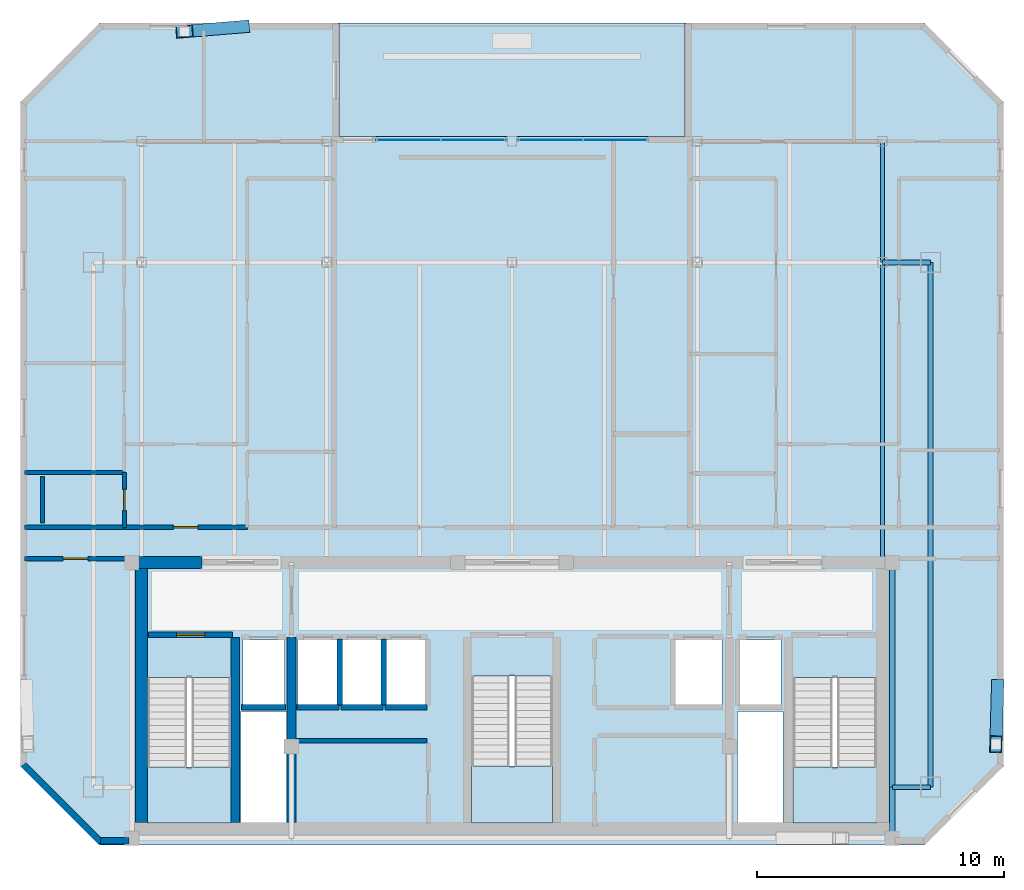
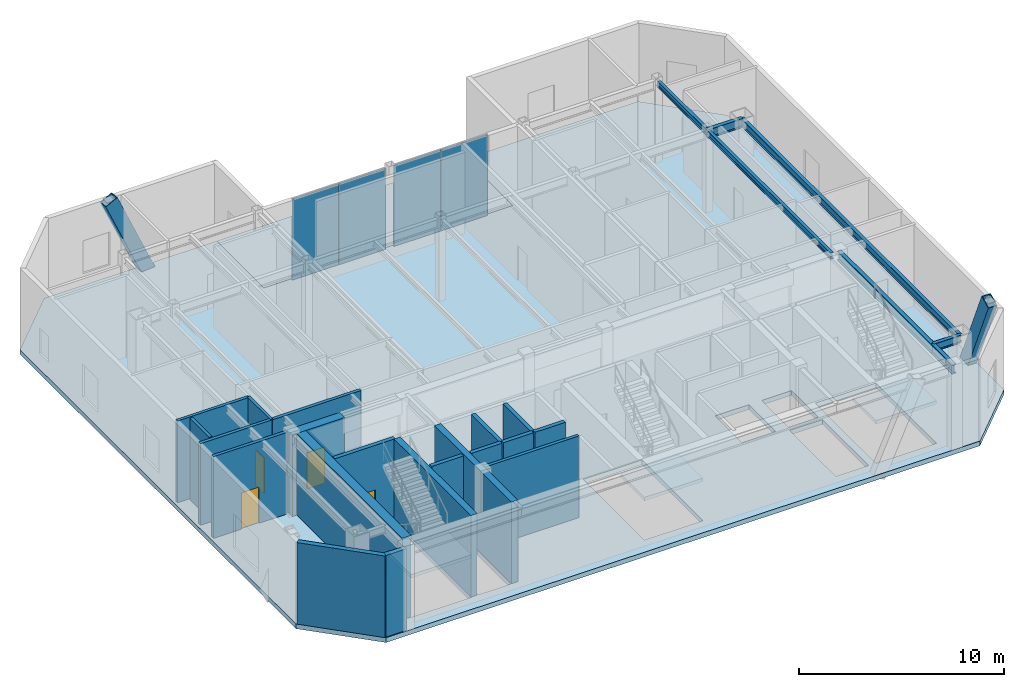
# One storey, part 6 of 11: 20 walls, 7 beams, 5 slabs, 4 doors, 4 plates, 2 members, 4 openings, 5 elements without a shape of their own.
"""IFC4 building model written with IfcOpenShell, lengths in metres."""

from ifc_helpers import new_model, si_unit, direction, frame, frame_2d, origin, origin_2d, place, context, subcontext, project, spatial, polyline, rectangle, hollow_rectangle, i_section, outline, extrude, material, layer, layer_set, material_profile, profile_set, type_object, element, fill, aggregate, save


model = new_model("IFC4")

# Units and contexts
model_context = context("Model", 3, precision=1e-05, world=origin(), true_north=direction((0.0, 1.0)))
body_context = subcontext(model_context, "Body", "Model", "MODEL_VIEW")
ifc_project = project(units=[si_unit("LENGTHUNIT", "METRE"), si_unit("AREAUNIT", "SQUARE_METRE"), si_unit("VOLUMEUNIT", "CUBIC_METRE"), si_unit("PLANEANGLEUNIT", "RADIAN"), si_unit("MASSUNIT", "GRAM", prefix="KILO")], contexts=[model_context])

# Site, building, storey
site_placement = place(None, origin())
site = spatial("IfcSite", under=ifc_project, at=site_placement, CompositionType="ELEMENT")
building_placement = place(site_placement, origin())
building = spatial("IfcBuilding", under=site, at=building_placement, Name="Ventersveld Concourse Tower", CompositionType="ELEMENT")
storey_placement = place(building_placement, frame((0.0, 0.0, 308.0)))
storey = spatial("IfcBuildingStorey", under=building, at=storey_placement, Name="L76", CompositionType="ELEMENT", Elevation=308.0)

# Beams
ifc_material_1 = material(Name="Structural steel S355J2", Category="steel")
ifc_material_profile_1 = material_profile(ifc_material_1, i_section(OverallWidth=0.17138671875, OverallDepth=0.35498046875, WebThickness=0.00732421875, FlangeThickness=0.011474609375, FilletRadius=0.01025390625, at=origin_2d()), Name="UB 356x171x51")
ifc_profile_set_1 = profile_set([ifc_material_profile_1], Name="Structural steel S355J2")
beam_type_1 = type_object("IfcBeamType", Name="BM-UB356", PredefinedType="BEAM", material=ifc_profile_set_1)
beam_1_placement = place(storey_placement, frame((43.75, 11.449951171875, 4.672607421875), z_axis=(0.0, 1.0, 0.0), x_axis=(-1.0, 0.0, 0.0)))
element("IfcBeam", 1, at=beam_1_placement, inside=storey, type_object=beam_type_1, Name="L76 N-S Composite Floor Beam South X=43.75", PredefinedType="BEAM", context=body_context, shape_type="SweptSolid", body=[
    extrude(i_section(OverallWidth=0.17138671875, OverallDepth=0.35498046875, WebThickness=0.00732421875, FlangeThickness=0.011474609375, FilletRadius=0.01025390625, at=origin_2d()), origin(), (0.0, 0.0, 1.0), 12.150146484375),
])
beam_2_placement = place(storey_placement, frame((43.75, 23.60009765625, 4.672607421875), z_axis=(0.0, 1.0, 0.0), x_axis=(-1.0, 0.0, 0.0)))
element("IfcBeam", 2, at=beam_2_placement, inside=storey, type_object=beam_type_1, Name="L76 N-S Upper-Zone Floor Beam X=43.75", PredefinedType="BEAM", context=body_context, shape_type="SweptSolid", body=[
    extrude(i_section(OverallWidth=0.17138671875, OverallDepth=0.35498046875, WebThickness=0.00732421875, FlangeThickness=0.011474609375, FilletRadius=0.01025390625, at=origin_2d()), origin(), (0.0, 0.0, 1.0), 4.89990234375),
])
ifc_material_profile_2 = material_profile(ifc_material_1, i_section(OverallWidth=0.209228515625, OverallDepth=0.533203125, WebThickness=0.010009765625, FlangeThickness=0.015625, FilletRadius=0.0126953125, at=origin_2d()), Name="UB 533x210x92")
ifc_profile_set_2 = profile_set([ifc_material_profile_2], Name="Structural steel S355J2")
beam_type_2 = type_object("IfcBeamType", Name="GRD-UB533", PredefinedType="T_BEAM", material=ifc_profile_set_2)
beam_3_placement = place(storey_placement, frame((43.75, 23.60009765625, 4.58349609375), z_axis=(1.0, 0.0, 0.0), x_axis=(0.0, 1.0, 0.0)))
element("IfcBeam", 3, at=beam_3_placement, inside=storey, type_object=beam_type_2, Name="L76 Primary E-W Grid Girder Y=23.60 #6", PredefinedType="T_BEAM", context=body_context, shape_type="SweptSolid", body=[
    extrude(i_section(OverallWidth=0.209228515625, OverallDepth=0.533203125, WebThickness=0.010009765625, FlangeThickness=0.015625, FilletRadius=0.0126953125, at=origin_2d()), origin(), (0.0, 0.0, 1.0), 1.949951171875),
])
ifc_material_profile_3 = material_profile(ifc_material_1, i_section(OverallWidth=0.2119140625, OverallDepth=0.54443359375, WebThickness=0.0126953125, FlangeThickness=0.021240234375, FilletRadius=0.0126953125, at=origin_2d()), Name="UB 533x210x122")
ifc_profile_set_3 = profile_set([ifc_material_profile_3], Name="Structural steel S355J2")
beam_type_3 = type_object("IfcBeamType", Name="GRD-UB533H", PredefinedType="T_BEAM", material=ifc_profile_set_3)
beam_4_placement = place(storey_placement, frame((44.14990234375, 0.280029296875, 4.577880859375), z_axis=(0.0, 1.0, 0.0), x_axis=(-1.0, 0.0, 0.0)))
element("IfcBeam", 4, at=beam_4_placement, inside=storey, type_object=beam_type_3, Name="L76 Core East Tie Beam S", PredefinedType="T_BEAM", context=body_context, shape_type="SweptSolid", body=[
    extrude(i_section(OverallWidth=0.2119140625, OverallDepth=0.54443359375, WebThickness=0.0126953125, FlangeThickness=0.021240234375, FilletRadius=0.0126953125, at=origin_2d()), origin(), (0.0, 0.0, 1.0), 2.070068359375),
])
beam_5_placement = place(storey_placement, frame((44.14990234375, 2.35009765625, 4.577880859375), z_axis=(0.0, 1.0, 0.0), x_axis=(-1.0, 0.0, 0.0)))
element("IfcBeam", 5, at=beam_5_placement, inside=storey, type_object=beam_type_3, Name="L76 Core East Tie Beam N", PredefinedType="T_BEAM", context=body_context, shape_type="SweptSolid", body=[
    extrude(i_section(OverallWidth=0.2119140625, OverallDepth=0.54443359375, WebThickness=0.0126953125, FlangeThickness=0.021240234375, FilletRadius=0.0126953125, at=origin_2d()), origin(), (0.0, 0.0, 1.0), 9.099853515625),
])

# Members
ifc_material_2 = material(Name="Structural steel S355ML", Category="steel")
ifc_material_profile_4 = material_profile(ifc_material_2, hollow_rectangle(XDim=0.5, YDim=0.75, WallThickness=0.034912109375, at=origin_2d()), Name="BOX 750x500x35")
ifc_profile_set_4 = profile_set([ifc_material_profile_4], Name="Structural steel S355ML")
member_type = type_object("IfcMemberType", Name="MB-750x500", PredefinedType="BRACE", material=ifc_profile_set_4)
member_1_placement = place(storey_placement, frame((17.77099609375, 33.13818359375, -0.280029296875), z_axis=(-0.406125884347, -0.033376637686, 0.913207405862), x_axis=(0.08190684983, -0.996639989139, 0.0)))
element("IfcMember", 6, at=member_1_placement, inside=storey, type_object=member_type, Name="L76 Exterior Mega-Brace N (Module M18)", PredefinedType="BRACE", context=body_context, shape_type="SweptSolid", body=[
    extrude(hollow_rectangle(XDim=0.5, YDim=0.75, WallThickness=0.034912109375, at=origin_2d()), origin(), (0.0, 0.0, 1.0), 5.61767578125),
])
member_2_placement = place(storey_placement, frame((48.41259765625, 6.37109375, -0.280029296875), z_axis=(-0.011565808268, -0.406325106269, 0.913655372717), x_axis=(0.999595134419, -0.028452895212, 0.0)))
element("IfcMember", 7, at=member_2_placement, inside=storey, type_object=member_type, Name="L76 Exterior Mega-Brace E (Module M18)", PredefinedType="BRACE", context=body_context, shape_type="SweptSolid", body=[
    extrude(hollow_rectangle(XDim=0.5, YDim=0.75, WallThickness=0.034912109375, at=origin_2d()), origin(), (0.0, 0.0, 1.0), 5.614990234375),
])

# Beams
ifc_material_profile_5 = material_profile(ifc_material_1, i_section(OverallWidth=0.19140625, OverallDepth=0.4599609375, WebThickness=0.010009765625, FlangeThickness=0.01611328125, FilletRadius=0.01025390625, at=origin_2d()), Name="UB 457x191x82")
ifc_profile_set_5 = profile_set([ifc_material_profile_5], Name="Structural steel S355J2")
beam_type_4 = type_object("IfcBeamType", Name="SPD-UB457", PredefinedType="SPANDREL", material=ifc_profile_set_5)
beam_6_placement = place(storey_placement, frame((44.14990234375, 2.35009765625, 4.6201171875), z_axis=(1.0, 0.0, 0.0), x_axis=(0.0, 1.0, 0.0)))
element("IfcBeam", 8, at=beam_6_placement, inside=storey, type_object=beam_type_4, Name="L76 SE Spandrel Beam", PredefinedType="SPANDREL", context=body_context, shape_type="SweptSolid", body=[
    extrude(i_section(OverallWidth=0.19140625, OverallDepth=0.4599609375, WebThickness=0.010009765625, FlangeThickness=0.01611328125, FilletRadius=0.01025390625, at=origin_2d()), origin(), (0.0, 0.0, 1.0), 1.550048828125),
])
beam_7_placement = place(storey_placement, frame((45.699951171875, 2.35009765625, 4.6201171875), z_axis=(0.0, 1.0, 0.0), x_axis=(-1.0, 0.0, 0.0)))
element("IfcBeam", 9, at=beam_7_placement, inside=storey, type_object=beam_type_4, Name="L76 East Spandrel Beam", PredefinedType="SPANDREL", context=body_context, shape_type="SweptSolid", body=[
    extrude(i_section(OverallWidth=0.19140625, OverallDepth=0.4599609375, WebThickness=0.010009765625, FlangeThickness=0.01611328125, FilletRadius=0.01025390625, at=origin_2d()), origin(), (0.0, 0.0, 1.0), 21.25),
])

# Curtain wall, plates
ifc_material_3 = material(Name="Anodised aluminium EN AW-6063-T6", Category="aluminium")
curtain_wall_type = type_object("IfcCurtainWallType", Name="CW-SG-4", PredefinedType="NOTDEFINED", material=ifc_material_3)
curtain_wall_1_placement = place(storey_placement, origin())
curtain_wall_1 = element("IfcCurtainWall", 10, at=curtain_wall_1_placement, inside=storey, type_object=curtain_wall_type, Name="L76 L76 Sky Garden Recessed Curtain Wall", PredefinedType="NOTDEFINED")
ifc_material_4 = material(Name="Low-E double glazing IGU", Category="glass")
ifc_layer_1 = layer(ifc_material_4, 0.02392578125)
ifc_layer_set_1 = layer_set([ifc_layer_1], Name="Low-E double glazing IGU")
plate_type = type_object("IfcPlateType", Name="CWP-GLZ-24", PredefinedType="CURTAIN_PANEL", material=ifc_layer_set_1)
plate_1_placement = place(storey_placement, frame((24.5673828125, 28.56298828125, 0.02001953125), z_axis=(0.0, 0.0, 1.0), x_axis=(1.0, 0.0, 0.0)))
plate_1 = element("IfcPlate", 11, at=plate_1_placement, type_object=plate_type, Name="CW-L76-SG-S1 Glazed Panel 01-1", PredefinedType="CURTAIN_PANEL", context=body_context, shape_type="SweptSolid", body=[
    extrude(rectangle(XDim=2.625, YDim=0.02392578125, at=origin_2d()), origin(), (0.0, 0.0, 1.0), 4.81005859375),
])
plate_2_placement = place(storey_placement, frame((27.202392578125, 28.56298828125, 0.02001953125), z_axis=(0.0, 0.0, 1.0), x_axis=(1.0, 0.0, 0.0)))
plate_2 = element("IfcPlate", 12, at=plate_2_placement, type_object=plate_type, Name="CW-L76-SG-S1 Glazed Panel 02-1", PredefinedType="CURTAIN_PANEL", context=body_context, shape_type="SweptSolid", body=[
    extrude(rectangle(XDim=2.625, YDim=0.02392578125, at=origin_2d()), origin(), (0.0, 0.0, 1.0), 4.81005859375),
])
aggregate(curtain_wall_1, [plate_1, plate_2])

curtain_wall_2_placement = place(storey_placement, origin())
curtain_wall_2 = element("IfcCurtainWall", 13, at=curtain_wall_2_placement, inside=storey, type_object=curtain_wall_type, Name="L76 L76 Sky Garden Recessed Curtain Wall", PredefinedType="NOTDEFINED")
plate_3_placement = place(storey_placement, frame((30.297607421875, 28.56298828125, 0.02001953125), z_axis=(0.0, 0.0, 1.0), x_axis=(1.0, 0.0, 0.0)))
plate_3 = element("IfcPlate", 14, at=plate_3_placement, type_object=plate_type, Name="CW-L76-SG-S2 Glazed Panel 01-1", PredefinedType="CURTAIN_PANEL", context=body_context, shape_type="SweptSolid", body=[
    extrude(rectangle(XDim=2.625, YDim=0.02392578125, at=origin_2d()), origin(), (0.0, 0.0, 1.0), 4.81005859375),
])
plate_4_placement = place(storey_placement, frame((32.9326171875, 28.56298828125, 0.02001953125), z_axis=(0.0, 0.0, 1.0), x_axis=(1.0, 0.0, 0.0)))
plate_4 = element("IfcPlate", 15, at=plate_4_placement, type_object=plate_type, Name="CW-L76-SG-S2 Glazed Panel 02-1", PredefinedType="CURTAIN_PANEL", context=body_context, shape_type="SweptSolid", body=[
    extrude(rectangle(XDim=2.625, YDim=0.02392578125, at=origin_2d()), origin(), (0.0, 0.0, 1.0), 4.81005859375),
])
aggregate(curtain_wall_2, [plate_3, plate_4])

# Slab
ifc_material_5 = material(Name="Concrete C50/60", Category="concrete")
ifc_layer_2 = layer(ifc_material_5, 0.280029296875)
ifc_layer_set_2 = layer_set([ifc_layer_2], Name="Concrete C50/60")
slab_type_1 = type_object("IfcSlabType", Name="SL-FLR-280", PredefinedType="FLOOR", material=ifc_layer_set_2)
slab_1_placement = place(storey_placement, frame((0.0, 0.0, -0.280029296875)))
element("IfcSlab", 16, at=slab_1_placement, inside=storey, type_object=slab_type_1, Name="L76 Composite Floor Slab", PredefinedType="FLOOR", context=body_context, shape_type="SweptSolid", body=[
    extrude(outline(polyline([(12.05078125, 0.0), (45.44921875, 0.0), (48.649169921875, 3.199951171875), (48.649169921875, 30.093017578125), (45.44921875, 33.293212890625), (35.75, 33.293212890625), (35.75, 28.693115234375), (21.75, 28.693115234375), (21.75, 33.293212890625), (12.05078125, 33.293212890625), (8.850830078125, 30.093017578125), (8.850830078125, 3.199951171875), (12.05078125, 0.0)]), holes=[polyline([(13.97998046875, 6.794921875), (13.97998046875, 0.89990234375), (17.3798828125, 0.89990234375), (17.3798828125, 6.794921875), (13.97998046875, 6.794921875)]), polyline([(40.1201171875, 6.794921875), (40.1201171875, 0.89990234375), (43.52001953125, 0.89990234375), (43.52001953125, 6.794921875), (40.1201171875, 6.794921875)]), polyline([(27.10009765625, 6.844970703125), (27.10009765625, 0.89990234375), (30.39990234375, 0.89990234375), (30.39990234375, 6.844970703125), (27.10009765625, 6.844970703125)]), polyline([(17.85009765625, 5.699951171875), (19.530029296875, 5.699951171875), (19.530029296875, 8.300048828125), (17.85009765625, 8.300048828125), (17.85009765625, 5.699951171875)]), polyline([(37.969970703125, 5.699951171875), (39.64990234375, 5.699951171875), (39.64990234375, 8.300048828125), (37.969970703125, 8.300048828125), (37.969970703125, 5.699951171875)]), polyline([(35.35009765625, 5.699951171875), (37.25, 5.699951171875), (37.25, 8.300048828125), (35.35009765625, 8.300048828125), (35.35009765625, 5.699951171875)]), polyline([(20.090087890625, 5.699951171875), (21.68994140625, 5.699951171875), (21.68994140625, 8.300048828125), (20.090087890625, 8.300048828125), (20.090087890625, 5.699951171875)]), polyline([(21.8701171875, 5.699951171875), (23.469970703125, 5.699951171875), (23.469970703125, 8.300048828125), (21.8701171875, 8.300048828125), (21.8701171875, 5.699951171875)]), polyline([(23.64990234375, 5.699951171875), (25.25, 5.699951171875), (25.25, 8.300048828125), (23.64990234375, 8.300048828125), (23.64990234375, 5.699951171875)]), polyline([(17.780029296875, 0.919921875), (19.6201171875, 0.919921875), (19.6201171875, 5.419921875), (17.780029296875, 5.419921875), (17.780029296875, 0.919921875)]), polyline([(37.8798828125, 0.919921875), (39.719970703125, 0.919921875), (39.719970703125, 5.419921875), (37.8798828125, 5.419921875), (37.8798828125, 0.919921875)])]), origin(), (0.0, 0.0, 1.0), 0.280029296875),
])

# Stair, slab
stair_type_1 = type_object("IfcStairType", Name="ST-DOG-160", PredefinedType="HALF_TURN_STAIR", material=ifc_material_5)
stair_1_placement = place(storey_placement, origin())
stair_1 = element("IfcStair", 17, at=stair_1_placement, inside=storey, type_object=stair_type_1, Name="L76 Protected Tower Escape Stair ST-01", PredefinedType="HALF_TURN_STAIR")
ifc_layer_3 = layer(ifc_material_5, 0.199951171875)
ifc_layer_set_3 = layer_set([ifc_layer_3], Name="Concrete C50/60")
slab_type_2 = type_object("IfcSlabType", Name="SL-LND-200", PredefinedType="LANDING", material=ifc_layer_set_3)
slab_2_placement = place(storey_placement, frame((0.0, 0.0, 2.324951171875)))
slab_2 = element("IfcSlab", 18, at=slab_2_placement, type_object=slab_type_2, Name="ST-01 landing 1", PredefinedType="LANDING", context=body_context, shape_type="SweptSolid", body=[
    extrude(outline(polyline([(13.97998046875, 3.159912109375), (13.97998046875, 0.89990234375), (17.3798828125, 0.89990234375), (17.3798828125, 3.159912109375), (13.97998046875, 3.159912109375)])), origin(), (0.0, 0.0, 1.0), 0.199951171875),
])
aggregate(stair_1, [slab_2])

stair_2_placement = place(storey_placement, origin())
stair_2 = element("IfcStair", 19, at=stair_2_placement, inside=storey, type_object=stair_type_1, Name="L76 Protected Tower Escape Stair ST-02", PredefinedType="HALF_TURN_STAIR")
slab_3_placement = place(storey_placement, frame((0.0, 0.0, 2.324951171875)))
slab_3 = element("IfcSlab", 20, at=slab_3_placement, type_object=slab_type_2, Name="ST-02 landing 1", PredefinedType="LANDING", context=body_context, shape_type="SweptSolid", body=[
    extrude(outline(polyline([(40.1201171875, 3.159912109375), (40.1201171875, 0.89990234375), (43.52001953125, 0.89990234375), (43.52001953125, 3.159912109375), (40.1201171875, 3.159912109375)])), origin(), (0.0, 0.0, 1.0), 0.199951171875),
])
aggregate(stair_2, [slab_3])

stair_type_2 = type_object("IfcStairType", Name="ST-DOG-155", PredefinedType="HALF_TURN_STAIR", material=ifc_material_5)
stair_3_placement = place(storey_placement, origin())
stair_3 = element("IfcStair", 21, at=stair_3_placement, inside=storey, type_object=stair_type_2, Name="L76 Protected Central Core Escape Stair ST-03", PredefinedType="HALF_TURN_STAIR")
slab_4_placement = place(storey_placement, frame((0.0, 0.0, 2.324951171875)))
slab_4 = element("IfcSlab", 22, at=slab_4_placement, type_object=slab_type_2, Name="ST-03 landing 1", PredefinedType="LANDING", context=body_context, shape_type="SweptSolid", body=[
    extrude(outline(polyline([(27.10009765625, 3.2099609375), (27.10009765625, 0.89990234375), (30.39990234375, 0.89990234375), (30.39990234375, 3.2099609375), (27.10009765625, 3.2099609375)])), origin(), (0.0, 0.0, 1.0), 0.199951171875),
])
aggregate(stair_3, [slab_4])

# Slab
ifc_layer_4 = layer(ifc_material_5, 0.25)
ifc_layer_set_4 = layer_set([ifc_layer_4], Name="Concrete C50/60")
slab_type_3 = type_object("IfcSlabType", Name="SL-ROOF-250", PredefinedType="ROOF", material=ifc_layer_set_4)
slab_5_placement = place(storey_placement, frame((0.0, 0.0, -0.25)))
element("IfcSlab", 23, at=slab_5_placement, inside=storey, type_object=slab_type_3, Name="L76 Outdoor Terrace Slab SKYGARDEN", PredefinedType="ROOF", context=body_context, shape_type="SweptSolid", body=[
    extrude(outline(polyline([(21.75, 28.693115234375), (35.75, 28.693115234375), (35.75, 33.293212890625), (21.75, 33.293212890625), (21.75, 28.693115234375)])), origin(), (0.0, 0.0, 1.0), 0.25),
])

# Walls
ifc_layer_5 = layer(ifc_material_5, 0.35009765625)
ifc_layer_set_5 = layer_set([ifc_layer_5], Name="Concrete C50/60")
wall_type_1 = type_object("IfcWallType", Name="WL-CORE-350U", PredefinedType="SHEAR", material=ifc_layer_set_5)
for number, where, z_axis, x_axis, name in (
    (24, (17.5400390625, 0.919921875, 0.0), (0.0, 0.0, 1.0), (0.0, 1.0, 0.0), "L76 Core Internal Shear Web W-ST1-E"),
    (25, (19.820068359375, 0.919921875, 0.0), (0.0, 0.0, 1.0), (0.0, 1.0, 0.0), "L76 Core Internal Shear Web W-FF1-E"),
):
    element("IfcWall", number, at=place(storey_placement, frame(where, z_axis=z_axis, x_axis=x_axis)), inside=storey, type_object=wall_type_1, Name=name, PredefinedType="SHEAR", context=body_context, shape_type="SweptSolid", body=[
        extrude(rectangle(XDim=7.5, YDim=0.35009765625, at=frame_2d((3.75, 0.0))), origin(), (0.0, 0.0, 1.0), 4.85009765625),
    ])
ifc_layer_6 = layer(ifc_material_5, 0.5)
ifc_layer_set_6 = layer_set([ifc_layer_6], Name="Concrete C50/60")
wall_type_2 = type_object("IfcWallType", Name="WL-CORE-500", PredefinedType="SHEAR", material=ifc_layer_set_6)
wall_1_placement = place(storey_placement, frame((13.75, 0.919921875, 0.0), z_axis=(0.0, 0.0, 1.0), x_axis=(0.0, 1.0, 0.0)))
element("IfcWall", 26, at=wall_1_placement, inside=storey, type_object=wall_type_2, Name="L76 Rear Core West Shear Wall", PredefinedType="SHEAR", context=body_context, shape_type="SweptSolid", body=[
    extrude(rectangle(XDim=10.530029296875, YDim=0.5, at=frame_2d((5.26513671875, 0.0))), origin(), (0.0, 0.0, 1.0), 4.85009765625),
])
wall_2_placement = place(storey_placement, frame((13.25, 11.449951171875, 0.0), z_axis=(0.0, 0.0, 1.0), x_axis=(1.0, 0.0, 0.0)))
element("IfcWall", 27, at=wall_2_placement, inside=storey, type_object=wall_type_2, Name="L76 Rear Core North Shear Wall NW", PredefinedType="SHEAR", context=body_context, shape_type="SweptSolid", body=[
    extrude(rectangle(XDim=2.949951171875, YDim=0.5, at=frame_2d((1.47509765625, 0.0))), origin(), (0.0, 0.0, 1.0), 4.85009765625),
])
ifc_material_6 = material(Name="Fire-rated autoclaved aerated masonry blockwork", Category="masonry")
ifc_layer_7 = layer(ifc_material_6, 0.179931640625)
ifc_layer_set_7 = layer_set([ifc_layer_7], Name="Fire-rated autoclaved aerated masonry blockwork")
wall_type_3 = type_object("IfcWallType", Name="WL-CORR-180", PredefinedType="PARTITIONING", material=ifc_layer_set_7)
wall_3_placement = place(storey_placement, frame((19.97998046875, 4.22998046875, 0.0), z_axis=(0.0, 0.0, 1.0), x_axis=(1.0, 0.0, 0.0)))
element("IfcWall", 28, at=wall_3_placement, inside=storey, type_object=wall_type_3, Name="L76 Core Top Wall SP-L76-RECB1A", PredefinedType="PARTITIONING", context=body_context, shape_type="SweptSolid", body=[
    extrude(rectangle(XDim=5.320068359375, YDim=0.179931640625, at=frame_2d((2.66015625, 0.0))), origin(), (0.0, 0.0, 1.0), 4.85009765625),
])

# Wall, opening, door
wall_4_placement = place(storey_placement, frame((9.000244140625, 11.60009765625, 0.0), z_axis=(0.0, 0.0, 1.0), x_axis=(1.0, 0.0, 0.0)))
wall_4 = element("IfcWall", 29, at=wall_4_placement, inside=storey, type_object=wall_type_3, Name="L76 Interior Partition SP-L76-SW-GAL-SP-L76-COR", PredefinedType="PARTITIONING", context=body_context, shape_type="SweptSolid", body=[
    extrude(rectangle(XDim=4.144775390625, YDim=0.179931640625, at=frame_2d((2.072265625, 0.0))), origin(), (0.0, 0.0, 1.0), 4.85009765625),
])
opening_1_placement = place(wall_4_placement, frame((1.572509765625, 0.0, 0.0)))
opening_1 = element("IfcOpeningElement", 30, at=opening_1_placement, cuts=wall_4, Name="Opening FD3", PredefinedType="OPENING", context=body_context, shape_type="SweptSolid", body=[
    extrude(rectangle(XDim=1.0, YDim=2.14990234375, at=frame_2d((0.5, 1.074951171875))), frame((0.0, 0.10009765625, 0.0), z_axis=(0.0, -1.0, 0.0), x_axis=(1.0, 0.0, 0.0)), (0.0, 0.0, 1.0), 0.199951171875),
])
ifc_material_7 = material(Name="Solid-core hardwood veneer timber", Category="wood")
door_type_1 = type_object("IfcDoorType", Name="DR-FLAT-100", OperationType="NOTDEFINED", PredefinedType="DOOR", material=ifc_material_7)
door_1_placement = place(opening_1_placement, origin())
door_1 = element("IfcDoor", 31, at=door_1_placement, inside=storey, type_object=door_type_1, Name="L76 Interior Door SP-L76-SW-GAL to SP-L76-COR (D-L76-3490)", OperationType="SINGLE_SWING_RIGHT", OverallHeight=2.14990234375, OverallWidth=1.0, PredefinedType="DOOR", context=body_context, shape_type="SweptSolid", body=[
    extrude(rectangle(XDim=1.0, YDim=2.14990234375, at=frame_2d((0.5, 1.074951171875))), frame((0.0, 0.02490234375, 0.0), z_axis=(0.0, -1.0, 0.0), x_axis=(1.0, 0.0, 0.0)), (0.0, 0.0, 1.0), 0.050048828125),
])
fill(opening_1, door_1)

wall_5_placement = place(storey_placement, frame((13.046630859375, 12.8798828125, 0.0), z_axis=(0.0, 0.0, 1.0), x_axis=(1.0, 0.0, 0.0)))
wall_5 = element("IfcWall", 32, at=wall_5_placement, inside=storey, type_object=wall_type_3, Name="L76 Interior Partition SP-L76-COR-SP-L76-76CW-FOY", PredefinedType="PARTITIONING", context=body_context, shape_type="SweptSolid", body=[
    extrude(rectangle(XDim=4.989990234375, YDim=0.179931640625, at=frame_2d((2.4951171875, 0.0))), origin(), (0.0, 0.0, 1.0), 4.85009765625),
])
opening_2_placement = place(wall_5_placement, frame((1.9951171875, 0.0, 0.0)))
opening_2 = element("IfcOpeningElement", 33, at=opening_2_placement, cuts=wall_5, Name="Opening FD3", PredefinedType="OPENING", context=body_context, shape_type="SweptSolid", body=[
    extrude(rectangle(XDim=1.0, YDim=2.14990234375, at=frame_2d((0.5, 1.074951171875))), frame((0.0, 0.10009765625, 0.0), z_axis=(0.0, -1.0, 0.0), x_axis=(1.0, 0.0, 0.0)), (0.0, 0.0, 1.0), 0.199951171875),
])
door_2_placement = place(opening_2_placement, origin())
door_2 = element("IfcDoor", 34, at=door_2_placement, inside=storey, type_object=door_type_1, Name="L76 Interior Door SP-L76-COR to SP-L76-76CW-FOY (FD-L76-3494)", OperationType="SINGLE_SWING_RIGHT", OverallHeight=2.14990234375, OverallWidth=1.0, PredefinedType="DOOR", context=body_context, shape_type="SweptSolid", body=[
    extrude(rectangle(XDim=1.0, YDim=2.14990234375, at=frame_2d((0.5, 1.074951171875))), frame((0.0, 0.02490234375, 0.0), z_axis=(0.0, -1.0, 0.0), x_axis=(1.0, 0.0, 0.0)), (0.0, 0.0, 1.0), 0.050048828125),
])
fill(opening_2, door_2)

# Walls
wall_6_placement = place(storey_placement, frame((9.000244140625, 12.8798828125, 0.0), z_axis=(0.0, 0.0, 1.0), x_axis=(1.0, 0.0, 0.0)))
element("IfcWall", 35, at=wall_6_placement, inside=storey, type_object=wall_type_3, Name="L76 Interior Partition SP-L76-COR-SP-L76-76CW-BATH", PredefinedType="PARTITIONING", context=body_context, shape_type="SweptSolid", body=[
    extrude(rectangle(XDim=4.016357421875, YDim=0.179931640625, at=frame_2d((2.00830078125, 0.0))), origin(), (0.0, 0.0, 1.0), 4.85009765625),
])
ifc_layer_8 = layer(ifc_material_6, 0.219970703125)
ifc_layer_set_8 = layer_set([ifc_layer_8], Name="Fire-rated autoclaved aerated masonry blockwork")
wall_type_4 = type_object("IfcWallType", Name="WL-HOIST-220", PredefinedType="SOLIDWALL", material=ifc_layer_set_8)
wall_7_placement = place(storey_placement, frame((17.800048828125, 5.590087890625, 0.0), z_axis=(0.0, 0.0, 1.0), x_axis=(1.0, 0.0, 0.0)))
element("IfcWall", 36, at=wall_7_placement, inside=storey, type_object=wall_type_4, Name="L76 Lift Hoistway Back Wall FFL-01", PredefinedType="SOLIDWALL", context=body_context, shape_type="SweptSolid", body=[
    extrude(rectangle(XDim=1.780029296875, YDim=0.219970703125, at=frame_2d((0.89013671875, 0.0))), origin(), (0.0, 0.0, 1.0), 4.85009765625),
])
wall_8_placement = place(storey_placement, frame((20.0400390625, 5.590087890625, 0.0), z_axis=(0.0, 0.0, 1.0), x_axis=(1.0, 0.0, 0.0)))
element("IfcWall", 37, at=wall_8_placement, inside=storey, type_object=wall_type_4, Name="L76 Lift Hoistway Back Wall PH-01", PredefinedType="SOLIDWALL", context=body_context, shape_type="SweptSolid", body=[
    extrude(rectangle(XDim=1.699951171875, YDim=0.219970703125, at=frame_2d((0.85009765625, 0.0))), origin(), (0.0, 0.0, 1.0), 4.85009765625),
])
wall_9_placement = place(storey_placement, frame((21.780029296875, 5.64990234375, 0.0), z_axis=(0.0, 0.0, 1.0), x_axis=(0.0, 1.0, 0.0)))
element("IfcWall", 38, at=wall_9_placement, inside=storey, type_object=wall_type_4, Name="L76 Lift Hoistway Side Wall PH-01E", PredefinedType="SOLIDWALL", context=body_context, shape_type="SweptSolid", body=[
    extrude(rectangle(XDim=2.7001953125, YDim=0.219970703125, at=frame_2d((1.35009765625, 0.0))), origin(), (0.0, 0.0, 1.0), 4.85009765625),
])
wall_10_placement = place(storey_placement, frame((21.820068359375, 5.590087890625, 0.0), z_axis=(0.0, 0.0, 1.0), x_axis=(1.0, 0.0, 0.0)))
element("IfcWall", 39, at=wall_10_placement, inside=storey, type_object=wall_type_4, Name="L76 Lift Hoistway Back Wall PH-02", PredefinedType="SOLIDWALL", context=body_context, shape_type="SweptSolid", body=[
    extrude(rectangle(XDim=1.699951171875, YDim=0.219970703125, at=frame_2d((0.85009765625, 0.0))), origin(), (0.0, 0.0, 1.0), 4.85009765625),
])
wall_11_placement = place(storey_placement, frame((23.56005859375, 5.64990234375, 0.0), z_axis=(0.0, 0.0, 1.0), x_axis=(0.0, 1.0, 0.0)))
element("IfcWall", 40, at=wall_11_placement, inside=storey, type_object=wall_type_4, Name="L76 Lift Hoistway Side Wall PH-02E", PredefinedType="SOLIDWALL", context=body_context, shape_type="SweptSolid", body=[
    extrude(rectangle(XDim=2.7001953125, YDim=0.219970703125, at=frame_2d((1.35009765625, 0.0))), origin(), (0.0, 0.0, 1.0), 4.85009765625),
])
wall_12_placement = place(storey_placement, frame((23.60009765625, 5.590087890625, 0.0), z_axis=(0.0, 0.0, 1.0), x_axis=(1.0, 0.0, 0.0)))
element("IfcWall", 41, at=wall_12_placement, inside=storey, type_object=wall_type_4, Name="L76 Lift Hoistway Back Wall PH-03", PredefinedType="SOLIDWALL", context=body_context, shape_type="SweptSolid", body=[
    extrude(rectangle(XDim=1.699951171875, YDim=0.219970703125, at=frame_2d((0.85009765625, 0.0))), origin(), (0.0, 0.0, 1.0), 4.85009765625),
])

# Wall, opening, door
wall_13_placement = place(storey_placement, frame((14.0400390625, 8.52001953125, 0.0), z_axis=(0.0, 0.0, 1.0), x_axis=(1.0, 0.0, 0.0)))
wall_13 = element("IfcWall", 42, at=wall_13_placement, inside=storey, type_object=wall_type_4, Name="L76 Escape Stair ST01 Fire Wall", PredefinedType="SOLIDWALL", context=body_context, shape_type="SweptSolid", body=[
    extrude(rectangle(XDim=3.39990234375, YDim=0.219970703125, at=frame_2d((1.699951171875, 0.0))), origin(), (0.0, 0.0, 1.0), 4.85009765625),
])
opening_3_placement = place(wall_13_placement, frame((1.125, 0.0, 0.0)))
opening_3 = element("IfcOpeningElement", 43, at=opening_3_placement, cuts=wall_13, Name="Opening FD1", PredefinedType="OPENING", context=body_context, shape_type="SweptSolid", body=[
    extrude(rectangle(XDim=1.14990234375, YDim=2.199951171875, at=frame_2d((0.574951171875, 1.10009765625))), frame((0.0, 0.1201171875, 0.0), z_axis=(0.0, -1.0, 0.0), x_axis=(1.0, 0.0, 0.0)), (0.0, 0.0, 1.0), 0.239990234375),
])
ifc_material_8 = material(Name="Galvanised painted steel", Category="steel")
door_type_2 = type_object("IfcDoorType", Name="DR-STAIR-115", OperationType="NOTDEFINED", PredefinedType="DOOR", material=ifc_material_8)
door_3_placement = place(opening_3_placement, origin())
door_3 = element("IfcDoor", 44, at=door_3_placement, inside=storey, type_object=door_type_2, Name="L76 Escape Stair Door ST01 (SD-L76-3479)", OperationType="SINGLE_SWING_LEFT", OverallHeight=2.199951171875, OverallWidth=1.14990234375, PredefinedType="DOOR", context=body_context, shape_type="SweptSolid", body=[
    extrude(rectangle(XDim=1.14990234375, YDim=2.199951171875, at=frame_2d((0.574951171875, 1.10009765625))), frame((0.0, 0.02490234375, 0.0), z_axis=(0.0, -1.0, 0.0), x_axis=(1.0, 0.0, 0.0)), (0.0, 0.0, 1.0), 0.050048828125),
])
fill(opening_3, door_3)

# Walls
ifc_material_9 = material(Name="Precast concrete C45/55", Category="concrete")
ifc_layer_9 = layer(ifc_material_9, 0.260009765625)
ifc_layer_set_9 = layer_set([ifc_layer_9], Name="Precast concrete C45/55")
wall_type_5 = type_object("IfcWallType", Name="WL-PREC-260", PredefinedType="SOLIDWALL", material=ifc_layer_set_9)
wall_14_placement = place(storey_placement, frame((12.0908203125, 0.179931640625, 0.0), z_axis=(0.0, 0.0, 1.0), x_axis=(1.0, 0.0, 0.0)))
element("IfcWall", 45, at=wall_14_placement, inside=storey, type_object=wall_type_5, Name="L76 South-West Flank Precast Wall", PredefinedType="SOLIDWALL", context=body_context, shape_type="SweptSolid", body=[
    extrude(rectangle(XDim=1.1591796875, YDim=0.260009765625, at=frame_2d((0.57958984375, 0.0))), origin(), (0.0, 0.0, 1.0), 4.85009765625),
])
wall_15_placement = place(storey_placement, frame((8.970947265625, 3.263671875, 0.0), z_axis=(0.0, 0.0, 1.0), x_axis=(0.707106781187, -0.707106781187, 0.0)))
element("IfcWall", 46, at=wall_15_placement, inside=storey, type_object=wall_type_5, Name="L76 Highveld Precast Facade Wall E12", PredefinedType="SOLIDWALL", context=body_context, shape_type="SweptSolid", body=[
    extrude(rectangle(XDim=4.445556640625, YDim=0.260009765625, at=frame_2d((2.22265625, 0.0))), origin(), (0.0, 0.0, 1.0), 4.85009765625),
])

# Wall, opening, door
ifc_material_10 = material(Name="Autoclaved aerated masonry blockwork", Category="masonry")
ifc_layer_10 = layer(ifc_material_10, 0.1650390625)
ifc_layer_set_10 = layer_set([ifc_layer_10], Name="Autoclaved aerated masonry blockwork")
wall_type_6 = type_object("IfcWallType", Name="WL-WET-165", PredefinedType="PLUMBINGWALL", material=ifc_layer_set_10)
wall_16_placement = place(storey_placement, frame((13.051513671875, 12.864990234375, 0.0), z_axis=(0.0, 0.0, 1.0), x_axis=(0.0, 1.0, 0.0)))
wall_16 = element("IfcWall", 47, at=wall_16_placement, inside=storey, type_object=wall_type_6, Name="L76 Interior Partition SP-L76-76CW-FOY-SP-L76-76CW-BATH", PredefinedType="PLUMBINGWALL", context=body_context, shape_type="SweptSolid", body=[
    extrude(rectangle(XDim=2.23291015625, YDim=0.1650390625, at=frame_2d((1.116455078125, 0.0))), origin(), (0.0, 0.0, 1.0), 4.85009765625),
])
opening_4_placement = place(wall_16_placement, frame((0.69140625, 0.0, 0.0)))
opening_4 = element("IfcOpeningElement", 48, at=opening_4_placement, cuts=wall_16, Name="Opening ID2", PredefinedType="OPENING", context=body_context, shape_type="SweptSolid", body=[
    extrude(rectangle(XDim=0.85009765625, YDim=2.10009765625, at=frame_2d((0.425048828125, 1.050048828125))), frame((0.0, 0.092529296875, 0.0), z_axis=(0.0, -1.0, 0.0), x_axis=(1.0, 0.0, 0.0)), (0.0, 0.0, 1.0), 0.18505859375),
])
door_type_3 = type_object("IfcDoorType", Name="DR-BATH-085", OperationType="NOTDEFINED", PredefinedType="DOOR", material=ifc_material_7)
door_4_placement = place(opening_4_placement, origin())
door_4 = element("IfcDoor", 49, at=door_4_placement, inside=storey, type_object=door_type_3, Name="L76 Interior Door SP-L76-76CW-FOY to SP-L76-76CW-BATH (D-L76-3498)", OperationType="SINGLE_SWING_RIGHT", OverallHeight=2.10009765625, OverallWidth=0.85009765625, PredefinedType="DOOR", context=body_context, shape_type="SweptSolid", body=[
    extrude(rectangle(XDim=0.85009765625, YDim=2.10009765625, at=frame_2d((0.425048828125, 1.050048828125))), frame((0.0, 0.02490234375, 0.0), z_axis=(0.0, -1.0, 0.0), x_axis=(1.0, 0.0, 0.0)), (0.0, 0.0, 1.0), 0.050048828125),
])
fill(opening_4, door_4)

# Walls
wall_17_placement = place(storey_placement, frame((9.000244140625, 15.0927734375, 0.0), z_axis=(0.0, 0.0, 1.0), x_axis=(1.0, 0.0, 0.0)))
element("IfcWall", 50, at=wall_17_placement, inside=storey, type_object=wall_type_6, Name="L76 Interior Partition SP-L76-76CW-BATH-SP-L76-76CW-MEDL0", PredefinedType="PLUMBINGWALL", context=body_context, shape_type="SweptSolid", body=[
    extrude(rectangle(XDim=4.056396484375, YDim=0.1650390625, at=frame_2d((2.0283203125, 0.0))), origin(), (0.0, 0.0, 1.0), 4.85009765625),
])
wall_18_placement = place(storey_placement, frame((9.730712890625, 13.044921875, 0.0), z_axis=(0.0, 0.0, 1.0), x_axis=(0.0, 1.0, 0.0)))
element("IfcWall", 51, at=wall_18_placement, inside=storey, type_object=wall_type_6, Name="L76 Room Enclosure Wall SP-L76-76CW-BATH", PredefinedType="PLUMBINGWALL", context=body_context, shape_type="SweptSolid", body=[
    extrude(rectangle(XDim=1.8828125, YDim=0.1650390625, at=frame_2d((0.94140625, 0.0))), origin(), (0.0, 0.0, 1.0), 4.85009765625),
])

save(model, "model.ifc")
